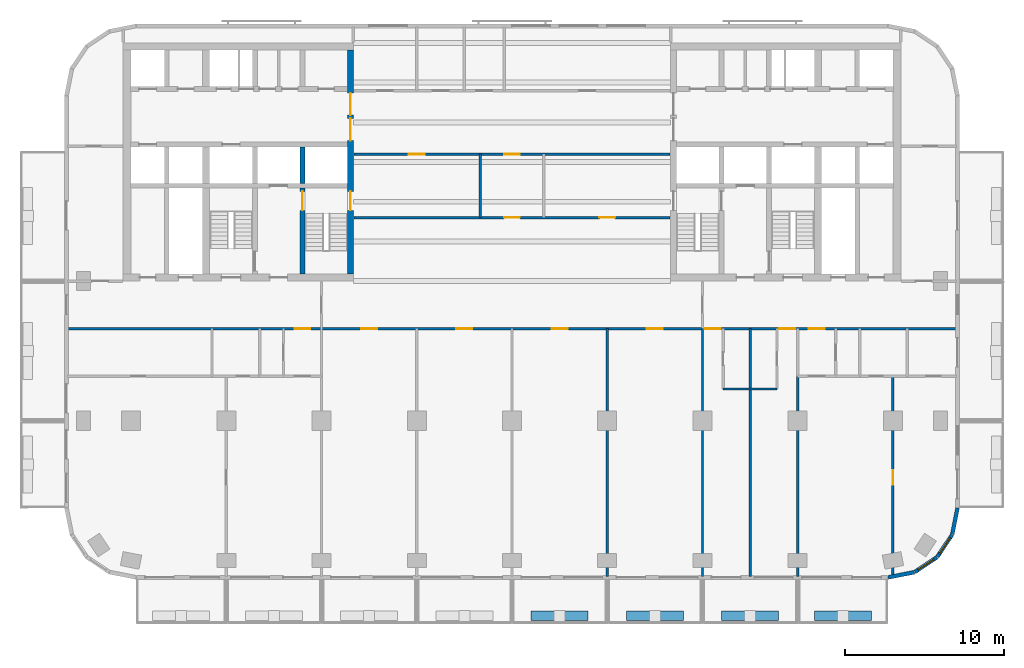
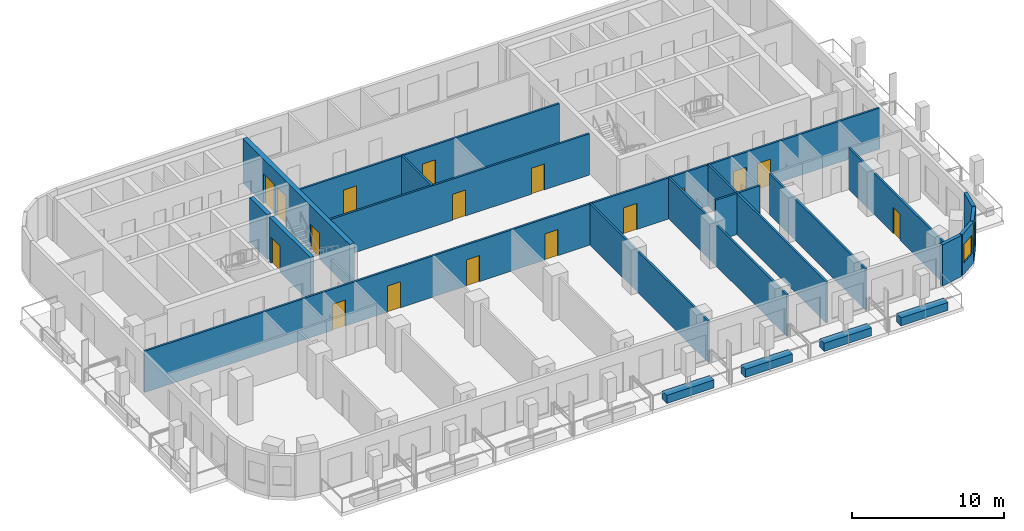
# One storey, part 4 of 11: 21 walls, 17 doors, 2 windows, 19 openings.
"""IFC4 building model written with IfcOpenShell, lengths in metres."""

from ifc_helpers import new_model, si_unit, direction, frame, frame_2d, origin, place, context, subcontext, project, spatial, rectangle, extrude, material, layer, layer_set, type_object, element, fill, save


model = new_model("IFC4")

# Units and contexts
model_context = context("Model", 3, precision=1e-05, world=origin(), true_north=direction((0.0, 1.0)))
body_context = subcontext(model_context, "Body", "Model", "MODEL_VIEW")
ifc_project = project(units=[si_unit("LENGTHUNIT", "METRE"), si_unit("AREAUNIT", "SQUARE_METRE"), si_unit("VOLUMEUNIT", "CUBIC_METRE"), si_unit("PLANEANGLEUNIT", "RADIAN"), si_unit("MASSUNIT", "GRAM", prefix="KILO")], contexts=[model_context])

# Site, building, storey
site_placement = place(None, origin())
site = spatial("IfcSite", under=ifc_project, at=site_placement, CompositionType="ELEMENT")
building_placement = place(site_placement, origin())
building = spatial("IfcBuilding", under=site, at=building_placement, Name="Torana Hotel and Residences", CompositionType="ELEMENT")
storey_placement = place(building_placement, frame((0.0, 0.0, 163.199951171875)))
storey = spatial("IfcBuildingStorey", under=building, at=storey_placement, Name="L42", CompositionType="ELEMENT", Elevation=163.199951171875)

# Wall
ifc_material_1 = material(Name="Concrete C70/85", Category="concrete")
ifc_layer_1 = layer(ifc_material_1, 0.300048828125)
ifc_layer_set_1 = layer_set([ifc_layer_1], Name="CORE WALL 300 C70/85")
wall_type_1 = type_object("IfcWallType", Name="CORE WALL 300 C70/85", PredefinedType="SHEAR", material=ifc_layer_set_1)
wall_1_placement = place(storey_placement, frame((-13.199951171875, -8.85009765625, 0.0), z_axis=(0.0, 0.0, 1.0), x_axis=(0.0, 1.0, 0.0)))
element("IfcWall", 1, at=wall_1_placement, inside=storey, type_object=wall_type_1, Name="Core wall W x3.05-S", PredefinedType="SHEAR", context=body_context, shape_type="SweptSolid", body=[
    extrude(rectangle(XDim=2.300048828125, YDim=0.300048828125, at=frame_2d((1.14990234375, 0.0))), origin(), (0.0, 0.0, 1.0), 3.60009765625),
])

# Wall, opening, door
wall_2_placement = place(storey_placement, frame((-13.199951171875, -14.550048828125, 0.0), z_axis=(0.0, 0.0, 1.0), x_axis=(0.0, 1.0, 0.0)))
wall_2 = element("IfcWall", 2, at=wall_2_placement, inside=storey, type_object=wall_type_1, Name="Core wall W x3.05-band", PredefinedType="SHEAR", context=body_context, shape_type="SweptSolid", body=[
    extrude(rectangle(XDim=5.400146484375, YDim=0.300048828125, at=frame_2d((2.7001953125, 0.0))), origin(), (0.0, 0.0, 1.0), 3.60009765625),
])
opening_1_placement = place(wall_2_placement, frame((4.0, 0.0, 0.0)))
opening_1 = element("IfcOpeningElement", 3, at=opening_1_placement, cuts=wall_2, Name="Opening L42-14", PredefinedType="OPENING", context=body_context, shape_type="SweptSolid", body=[
    extrude(rectangle(XDim=1.199951171875, YDim=2.10009765625, at=frame_2d((0.60009765625, 1.050048828125))), frame((0.0, 0.159912109375, 0.0), z_axis=(0.0, -1.0, 0.0), x_axis=(1.0, 0.0, 0.0)), (0.0, 0.0, 1.0), 0.320068359375),
])
ifc_material_2 = material(Name="Steel S235", Category="steel")
door_type_1 = type_object("IfcDoorType", Name="STAIR FIRE DOOR D3 1200x2100", OperationType="SINGLE_SWING_LEFT", PredefinedType="DOOR", material=ifc_material_2)
door_1_placement = place(opening_1_placement, frame((0.60009765625, 0.0, 0.0), z_axis=(0.0, 0.0, 1.0), x_axis=(-1.0, 0.0, 0.0)))
door_1 = element("IfcDoor", 4, at=door_1_placement, inside=storey, type_object=door_type_1, Name="Stair-A-lobby door L42", OperationType="SINGLE_SWING_RIGHT", OverallHeight=2.10009765625, OverallWidth=1.199951171875, PredefinedType="DOOR", context=body_context, shape_type="SweptSolid", body=[
    extrude(rectangle(XDim=1.199951171875, YDim=2.10009765625, at=frame_2d((0.0, 1.050048828125))), frame((0.0, -0.02490234375, 0.0), z_axis=(0.0, 1.0, 0.0), x_axis=(-1.0, 0.0, 0.0)), (0.0, 0.0, 1.0), 0.050048828125),
])
fill(opening_1, door_1)

# Wall, openings, doors
ifc_material_3 = material(Name="Concrete C70/85", Category="concrete")
ifc_layer_2 = layer(ifc_material_3, 0.35009765625)
ifc_layer_set_2 = layer_set([ifc_layer_2], Name="CORE WALL 350 C70/85")
wall_type_2 = type_object("IfcWallType", Name="CORE WALL 350 C70/85", PredefinedType="SHEAR", material=ifc_layer_set_2)
wall_3_placement = place(storey_placement, frame((-10.175048828125, -14.550048828125, 0.0), z_axis=(0.0, 0.0, 1.0), x_axis=(0.0, 1.0, 0.0)))
wall_3 = element("IfcWall", 5, at=wall_3_placement, inside=storey, type_object=wall_type_2, Name="Core wall W arch", PredefinedType="SHEAR", context=body_context, shape_type="SweptSolid", body=[
    extrude(rectangle(XDim=14.10009765625, YDim=0.35009765625, at=frame_2d((7.050048828125, 0.0))), origin(), (0.0, 0.0, 1.0), 3.60009765625),
])
opening_2_placement = place(wall_3_placement, frame((8.39990234375, 0.0, 0.0)))
opening_2 = element("IfcOpeningElement", 6, at=opening_2_placement, cuts=wall_3, Name="Opening L42-01", PredefinedType="OPENING", context=body_context, shape_type="SweptSolid", body=[
    extrude(rectangle(XDim=1.39990234375, YDim=2.39990234375, at=frame_2d((0.699951171875, 1.199951171875))), frame((0.0, 0.18505859375, 0.0), z_axis=(0.0, -1.0, 0.0), x_axis=(1.0, 0.0, 0.0)), (0.0, 0.0, 1.0), 0.3701171875),
])
opening_3_placement = place(wall_3_placement, frame((10.0, 0.0, 0.0)))
opening_3 = element("IfcOpeningElement", 7, at=opening_3_placement, cuts=wall_3, Name="Opening L42-02", PredefinedType="OPENING", context=body_context, shape_type="SweptSolid", body=[
    extrude(rectangle(XDim=1.39990234375, YDim=2.39990234375, at=frame_2d((0.699951171875, 1.199951171875))), frame((0.0, 0.18505859375, 0.0), z_axis=(0.0, -1.0, 0.0), x_axis=(1.0, 0.0, 0.0)), (0.0, 0.0, 1.0), 0.3701171875),
])
opening_4_placement = place(wall_3_placement, frame((4.0, 0.0, 0.0)))
opening_4 = element("IfcOpeningElement", 8, at=opening_4_placement, cuts=wall_3, Name="Opening L42-03", PredefinedType="OPENING", context=body_context, shape_type="SweptSolid", body=[
    extrude(rectangle(XDim=1.199951171875, YDim=2.10009765625, at=frame_2d((0.60009765625, 1.050048828125))), frame((0.0, 0.18505859375, 0.0), z_axis=(0.0, -1.0, 0.0), x_axis=(1.0, 0.0, 0.0)), (0.0, 0.0, 1.0), 0.3701171875),
])
ifc_material_4 = material(Name="Steel S235", Category="steel")
door_type_2 = type_object("IfcDoorType", Name="LOBBY FIRE DOOR D4 1400x2400", OperationType="DOUBLE_DOOR_SINGLE_SWING", PredefinedType="DOOR", material=ifc_material_4)
door_2_placement = place(opening_2_placement, origin())
door_2 = element("IfcDoor", 9, at=door_2_placement, inside=storey, type_object=door_type_2, Name="Lobby-1 door L42", OperationType="DOUBLE_DOOR_SINGLE_SWING", OverallHeight=2.39990234375, OverallWidth=1.39990234375, PredefinedType="DOOR", context=body_context, shape_type="SweptSolid", body=[
    extrude(rectangle(XDim=1.39990234375, YDim=2.39990234375, at=frame_2d((0.699951171875, 1.199951171875))), frame((0.0, 0.02490234375, 0.0), z_axis=(0.0, -1.0, 0.0), x_axis=(1.0, 0.0, 0.0)), (0.0, 0.0, 1.0), 0.050048828125),
])
fill(opening_2, door_2)
door_3_placement = place(opening_3_placement, origin())
door_3 = element("IfcDoor", 10, at=door_3_placement, inside=storey, type_object=door_type_2, Name="Lobby-2 door L42", OperationType="DOUBLE_DOOR_SINGLE_SWING", OverallHeight=2.39990234375, OverallWidth=1.39990234375, PredefinedType="DOOR", context=body_context, shape_type="SweptSolid", body=[
    extrude(rectangle(XDim=1.39990234375, YDim=2.39990234375, at=frame_2d((0.699951171875, 1.199951171875))), frame((0.0, 0.02490234375, 0.0), z_axis=(0.0, -1.0, 0.0), x_axis=(1.0, 0.0, 0.0)), (0.0, 0.0, 1.0), 0.050048828125),
])
fill(opening_3, door_3)
door_4_placement = place(opening_4_placement, origin())
door_4 = element("IfcDoor", 11, at=door_4_placement, inside=storey, type_object=door_type_1, Name="Stair-A door L42", OperationType="SINGLE_SWING_LEFT", OverallHeight=2.10009765625, OverallWidth=1.199951171875, PredefinedType="DOOR", context=body_context, shape_type="SweptSolid", body=[
    extrude(rectangle(XDim=1.199951171875, YDim=2.10009765625, at=frame_2d((0.60009765625, 1.050048828125))), frame((0.0, 0.02490234375, 0.0), z_axis=(0.0, -1.0, 0.0), x_axis=(1.0, 0.0, 0.0)), (0.0, 0.0, 1.0), 0.050048828125),
])
fill(opening_4, door_4)

# Wall
ifc_material_5 = material(Name="Black aluminium composite panel", Category="aluminium")
ifc_layer_3 = layer(ifc_material_5, 0.00390625, Name="Cladding", Category="cladding")
ifc_material_6 = material(Name="Ventilated air cavity")
ifc_layer_4 = layer(ifc_material_6, 0.0400390625, Name="Ventilated cavity", Category="cavity")
ifc_material_7 = material(Name="Mineral wool insulation")
ifc_layer_5 = layer(ifc_material_7, 0.090087890625, Name="Insulation", Category="insulation")
ifc_material_8 = material(Name="Steel S280GD", Category="steel")
ifc_layer_6 = layer(ifc_material_8, 0.092041015625, Name="Steel stud frame", Category="structure")
ifc_material_9 = material(Name="Fire rated plasterboard")
ifc_layer_7 = layer(ifc_material_9, 0.011962890625, Name="Inner board", Category="finish")
ifc_layer_8 = layer(ifc_material_9, 0.011962890625, Name="Second board", Category="finish")
ifc_layer_set_3 = layer_set([ifc_layer_3, ifc_layer_4, ifc_layer_5, ifc_layer_6, ifc_layer_7, ifc_layer_8], Name="EW1 EXTERNAL WALL BLACK METAL CLAD 250")
wall_type_3 = type_object("IfcWallType", Name="EW1 EXTERNAL WALL BLACK METAL CLAD 250", PredefinedType="SOLIDWALL", material=ifc_layer_set_3)
wall_4_placement = place(storey_placement, frame((23.69970703125, -33.672607421875, 0.0), z_axis=(0.0, 0.0, 1.0), x_axis=(0.980775640221, 0.19513878023, 0.0)))
element("IfcWall", 12, at=wall_4_placement, inside=storey, type_object=wall_type_3, Name="External wall L42 e0.15", PredefinedType="SOLIDWALL", context=body_context, shape_type="SweptSolid", body=[
    extrude(rectangle(XDim=1.681396484375, YDim=0.25, at=frame_2d((0.8408203125, 0.0))), origin(), (0.0, 0.0, 1.0), 3.320068359375),
])

# Wall, opening, window
wall_5_placement = place(storey_placement, frame((25.39404296875, -33.325927734375, 0.0), z_axis=(0.0, 0.0, 1.0), x_axis=(0.831482937015, 0.55555029066, 0.0)))
wall_5 = element("IfcWall", 13, at=wall_5_placement, inside=storey, type_object=wall_type_3, Name="External wall L42 e0.16", PredefinedType="SOLIDWALL", context=body_context, shape_type="SweptSolid", body=[
    extrude(rectangle(XDim=1.65625, YDim=0.25, at=frame_2d((0.828125, 0.0))), origin(), (0.0, 0.0, 1.0), 3.320068359375),
])
opening_5_placement = place(wall_5_placement, frame((0.228271484375, 0.0, 0.89990234375)))
opening_5 = element("IfcOpeningElement", 14, at=opening_5_placement, cuts=wall_5, Name="Opening W5", PredefinedType="OPENING", context=body_context, shape_type="SweptSolid", body=[
    extrude(rectangle(XDim=1.199951171875, YDim=1.5, at=frame_2d((0.60009765625, 0.75))), frame((0.0, 0.135009765625, 0.0), z_axis=(0.0, -1.0, 0.0), x_axis=(1.0, 0.0, 0.0)), (0.0, 0.0, 1.0), 0.27001953125),
])
ifc_material_10 = material(Name="Dark glass in black aluminium frame", Category="aluminium")
window_type = type_object("IfcWindowType", Name="W5 CORNER FACET WINDOW 1200x1500", PartitioningType="SINGLE_PANEL", PredefinedType="WINDOW", material=ifc_material_10)
window_1_placement = place(opening_5_placement, origin())
window_1 = element("IfcWindow", 15, at=window_1_placement, inside=storey, type_object=window_type, Name="Window L42 e0.16", OverallHeight=1.5, OverallWidth=1.199951171875, PartitioningType="SINGLE_PANEL", PredefinedType="WINDOW", context=body_context, shape_type="SweptSolid", body=[
    extrude(rectangle(XDim=1.199951171875, YDim=1.5, at=frame_2d((0.60009765625, 0.75))), frame((0.0, 0.030029296875, 0.0), z_axis=(0.0, -1.0, 0.0), x_axis=(1.0, 0.0, 0.0)), (0.0, 0.0, 1.0), 0.06005859375),
])
fill(opening_5, window_1)

wall_6_placement = place(storey_placement, frame((26.8056640625, -32.37109375, 0.0), z_axis=(0.0, 0.0, 1.0), x_axis=(0.55555029066, 0.831482937015, 0.0)))
wall_6 = element("IfcWall", 16, at=wall_6_placement, inside=storey, type_object=wall_type_3, Name="External wall L42 e0.17", PredefinedType="SOLIDWALL", context=body_context, shape_type="SweptSolid", body=[
    extrude(rectangle(XDim=1.65625, YDim=0.25, at=frame_2d((0.828125, 0.0))), origin(), (0.0, 0.0, 1.0), 3.320068359375),
])
opening_6_placement = place(wall_6_placement, frame((0.228271484375, 0.0, 0.89990234375)))
opening_6 = element("IfcOpeningElement", 17, at=opening_6_placement, cuts=wall_6, Name="Opening W5", PredefinedType="OPENING", context=body_context, shape_type="SweptSolid", body=[
    extrude(rectangle(XDim=1.199951171875, YDim=1.5, at=frame_2d((0.60009765625, 0.75))), frame((0.0, 0.135009765625, 0.0), z_axis=(0.0, -1.0, 0.0), x_axis=(1.0, 0.0, 0.0)), (0.0, 0.0, 1.0), 0.27001953125),
])
window_2_placement = place(opening_6_placement, origin())
window_2 = element("IfcWindow", 18, at=window_2_placement, inside=storey, type_object=window_type, Name="Window L42 e0.17", OverallHeight=1.5, OverallWidth=1.199951171875, PartitioningType="SINGLE_PANEL", PredefinedType="WINDOW", context=body_context, shape_type="SweptSolid", body=[
    extrude(rectangle(XDim=1.199951171875, YDim=1.5, at=frame_2d((0.60009765625, 0.75))), frame((0.0, 0.030029296875, 0.0), z_axis=(0.0, -1.0, 0.0), x_axis=(1.0, 0.0, 0.0)), (0.0, 0.0, 1.0), 0.06005859375),
])
fill(opening_6, window_2)

# Walls
wall_7_placement = place(storey_placement, frame((27.74462890625, -30.948974609375, 0.0), z_axis=(0.0, 0.0, 1.0), x_axis=(0.194999110559, 0.980803419081, 0.0)))
element("IfcWall", 19, at=wall_7_placement, inside=storey, type_object=wall_type_3, Name="External wall L42 e0.18", PredefinedType="SOLIDWALL", context=body_context, shape_type="SweptSolid", body=[
    extrude(rectangle(XDim=1.681396484375, YDim=0.25, at=frame_2d((0.8408203125, 0.0))), origin(), (0.0, 0.0, 1.0), 3.320068359375),
])
ifc_material_11 = material(Name="Gypsum plaster")
ifc_layer_9 = layer(ifc_material_11, 0.014892578125, Name="Plaster", Category="finish")
ifc_material_12 = material(Name="Concrete blockwork", Category="masonry")
ifc_layer_10 = layer(ifc_material_12, 0.1201171875, Name="Blockwork", Category="structure")
ifc_layer_11 = layer(ifc_material_11, 0.014892578125, Name="Plaster", Category="finish")
ifc_layer_set_4 = layer_set([ifc_layer_9, ifc_layer_10, ifc_layer_11], Name="FIRE PARTITION 150 BLOCKWORK")
wall_type_4 = type_object("IfcWallType", Name="FIRE PARTITION 150 BLOCKWORK", PredefinedType="PARTITIONING", material=ifc_layer_set_4)
wall_8_placement = place(storey_placement, frame((-2.0, -11.0, 0.0), z_axis=(0.0, 0.0, 1.0), x_axis=(0.0, 1.0, 0.0)))
element("IfcWall", 20, at=wall_8_placement, inside=storey, type_object=wall_type_4, Name="Partition L42", PredefinedType="PARTITIONING", context=body_context, shape_type="SweptSolid", body=[
    extrude(rectangle(XDim=4.0, YDim=0.14990234375, at=frame_2d((2.0, 0.0))), origin(), (0.0, 0.0, 1.0), 3.320068359375),
])

# Wall, openings, doors
wall_9_placement = place(storey_placement, frame((-28.02001953125, -18.0, 0.0), z_axis=(0.0, 0.0, 1.0), x_axis=(1.0, 0.0, 0.0)))
wall_9 = element("IfcWall", 21, at=wall_9_placement, inside=storey, type_object=wall_type_4, Name="Partition L42", PredefinedType="PARTITIONING", context=body_context, shape_type="SweptSolid", body=[
    extrude(rectangle(XDim=56.0400390625, YDim=0.14990234375, at=frame_2d((28.02001953125, 0.0))), origin(), (0.0, 0.0, 1.0), 3.320068359375),
])
opening_7_placement = place(wall_9_placement, frame((14.320068359375, 0.0, 0.0)))
opening_7 = element("IfcOpeningElement", 22, at=opening_7_placement, cuts=wall_9, Name="Opening L42-32", PredefinedType="OPENING", context=body_context, shape_type="SweptSolid", body=[
    extrude(rectangle(XDim=1.0, YDim=2.10009765625, at=frame_2d((0.5, 1.050048828125))), frame((0.0, 0.0849609375, 0.0), z_axis=(0.0, -1.0, 0.0), x_axis=(1.0, 0.0, 0.0)), (0.0, 0.0, 1.0), 0.169921875),
])
opening_8_placement = place(wall_9_placement, frame((40.169921875, 0.0, 0.0)))
opening_8 = element("IfcOpeningElement", 23, at=opening_8_placement, cuts=wall_9, Name="Opening L42-35", PredefinedType="OPENING", context=body_context, shape_type="SweptSolid", body=[
    extrude(rectangle(XDim=1.0, YDim=2.10009765625, at=frame_2d((0.5, 1.050048828125))), frame((0.0, 0.0849609375, 0.0), z_axis=(0.0, -1.0, 0.0), x_axis=(1.0, 0.0, 0.0)), (0.0, 0.0, 1.0), 0.169921875),
])
opening_9_placement = place(wall_9_placement, frame((44.8701171875, 0.0, 0.0)))
opening_9 = element("IfcOpeningElement", 24, at=opening_9_placement, cuts=wall_9, Name="Opening L42-36", PredefinedType="OPENING", context=body_context, shape_type="SweptSolid", body=[
    extrude(rectangle(XDim=1.0, YDim=2.10009765625, at=frame_2d((0.5, 1.050048828125))), frame((0.0, 0.0849609375, 0.0), z_axis=(0.0, -1.0, 0.0), x_axis=(1.0, 0.0, 0.0)), (0.0, 0.0, 1.0), 0.169921875),
])
opening_10_placement = place(wall_9_placement, frame((46.719970703125, 0.0, 0.0)))
opening_10 = element("IfcOpeningElement", 25, at=opening_10_placement, cuts=wall_9, Name="Opening L42-37", PredefinedType="OPENING", context=body_context, shape_type="SweptSolid", body=[
    extrude(rectangle(XDim=1.0, YDim=2.10009765625, at=frame_2d((0.5, 1.050048828125))), frame((0.0, 0.0849609375, 0.0), z_axis=(0.0, -1.0, 0.0), x_axis=(1.0, 0.0, 0.0)), (0.0, 0.0, 1.0), 0.169921875),
])
opening_11_placement = place(wall_9_placement, frame((18.52001953125, 0.0, 0.0)))
opening_11 = element("IfcOpeningElement", 26, at=opening_11_placement, cuts=wall_9, Name="Opening L42-40", PredefinedType="OPENING", context=body_context, shape_type="SweptSolid", body=[
    extrude(rectangle(XDim=1.0, YDim=2.10009765625, at=frame_2d((0.5, 1.050048828125))), frame((0.0, 0.0849609375, 0.0), z_axis=(0.0, -1.0, 0.0), x_axis=(1.0, 0.0, 0.0)), (0.0, 0.0, 1.0), 0.169921875),
])
opening_12_placement = place(wall_9_placement, frame((24.52001953125, 0.0, 0.0)))
opening_12 = element("IfcOpeningElement", 27, at=opening_12_placement, cuts=wall_9, Name="Opening L42-41", PredefinedType="OPENING", context=body_context, shape_type="SweptSolid", body=[
    extrude(rectangle(XDim=1.0, YDim=2.10009765625, at=frame_2d((0.5, 1.050048828125))), frame((0.0, 0.0849609375, 0.0), z_axis=(0.0, -1.0, 0.0), x_axis=(1.0, 0.0, 0.0)), (0.0, 0.0, 1.0), 0.169921875),
])
opening_13_placement = place(wall_9_placement, frame((30.52001953125, 0.0, 0.0)))
opening_13 = element("IfcOpeningElement", 28, at=opening_13_placement, cuts=wall_9, Name="Opening L42-42", PredefinedType="OPENING", context=body_context, shape_type="SweptSolid", body=[
    extrude(rectangle(XDim=1.0, YDim=2.10009765625, at=frame_2d((0.5, 1.050048828125))), frame((0.0, 0.0849609375, 0.0), z_axis=(0.0, -1.0, 0.0), x_axis=(1.0, 0.0, 0.0)), (0.0, 0.0, 1.0), 0.169921875),
])
opening_14_placement = place(wall_9_placement, frame((36.52001953125, 0.0, 0.0)))
opening_14 = element("IfcOpeningElement", 29, at=opening_14_placement, cuts=wall_9, Name="Opening L42-43", PredefinedType="OPENING", context=body_context, shape_type="SweptSolid", body=[
    extrude(rectangle(XDim=1.0, YDim=2.10009765625, at=frame_2d((0.5, 1.050048828125))), frame((0.0, 0.0849609375, 0.0), z_axis=(0.0, -1.0, 0.0), x_axis=(1.0, 0.0, 0.0)), (0.0, 0.0, 1.0), 0.169921875),
])
ifc_material_13 = material(Name="Steel S235", Category="steel")
door_type_3 = type_object("IfcDoorType", Name="ENTRY FIRE DOOR D6 1000x2100", OperationType="SINGLE_SWING_LEFT", PredefinedType="DOOR", material=ifc_material_13)
door_5_placement = place(opening_7_placement, origin())
door_5 = element("IfcDoor", 30, at=door_5_placement, inside=storey, type_object=door_type_3, Name="Door L42", OperationType="SINGLE_SWING_LEFT", OverallHeight=2.10009765625, OverallWidth=1.0, PredefinedType="DOOR", context=body_context, shape_type="SweptSolid", body=[
    extrude(rectangle(XDim=1.0, YDim=2.10009765625, at=frame_2d((0.5, 1.050048828125))), frame((0.0, 0.02490234375, 0.0), z_axis=(0.0, -1.0, 0.0), x_axis=(1.0, 0.0, 0.0)), (0.0, 0.0, 1.0), 0.050048828125),
])
fill(opening_7, door_5)
door_6_placement = place(opening_8_placement, frame((0.5, 0.0, 0.0), z_axis=(0.0, 0.0, 1.0), x_axis=(-1.0, 0.0, 0.0)))
door_6 = element("IfcDoor", 31, at=door_6_placement, inside=storey, type_object=door_type_3, Name="Door L42", OperationType="SINGLE_SWING_LEFT", OverallHeight=2.10009765625, OverallWidth=1.0, PredefinedType="DOOR", context=body_context, shape_type="SweptSolid", body=[
    extrude(rectangle(XDim=1.0, YDim=2.10009765625, at=frame_2d((0.0, 1.050048828125))), frame((0.0, -0.02490234375, 0.0), z_axis=(0.0, 1.0, 0.0), x_axis=(-1.0, 0.0, 0.0)), (0.0, 0.0, 1.0), 0.050048828125),
])
fill(opening_8, door_6)
door_7_placement = place(opening_9_placement, frame((0.5, 0.0, 0.0), z_axis=(0.0, 0.0, 1.0), x_axis=(-1.0, 0.0, 0.0)))
door_7 = element("IfcDoor", 32, at=door_7_placement, inside=storey, type_object=door_type_3, Name="Door L42", OperationType="SINGLE_SWING_LEFT", OverallHeight=2.10009765625, OverallWidth=1.0, PredefinedType="DOOR", context=body_context, shape_type="SweptSolid", body=[
    extrude(rectangle(XDim=1.0, YDim=2.10009765625, at=frame_2d((0.0, 1.050048828125))), frame((0.0, -0.02490234375, 0.0), z_axis=(0.0, 1.0, 0.0), x_axis=(-1.0, 0.0, 0.0)), (0.0, 0.0, 1.0), 0.050048828125),
])
fill(opening_9, door_7)
door_8_placement = place(opening_10_placement, origin())
door_8 = element("IfcDoor", 33, at=door_8_placement, inside=storey, type_object=door_type_3, Name="Door L42", OperationType="SINGLE_SWING_RIGHT", OverallHeight=2.10009765625, OverallWidth=1.0, PredefinedType="DOOR", context=body_context, shape_type="SweptSolid", body=[
    extrude(rectangle(XDim=1.0, YDim=2.10009765625, at=frame_2d((0.5, 1.050048828125))), frame((0.0, 0.02490234375, 0.0), z_axis=(0.0, -1.0, 0.0), x_axis=(1.0, 0.0, 0.0)), (0.0, 0.0, 1.0), 0.050048828125),
])
fill(opening_10, door_8)
door_9_placement = place(opening_11_placement, frame((0.5, 0.0, 0.0), z_axis=(0.0, 0.0, 1.0), x_axis=(-1.0, 0.0, 0.0)))
door_9 = element("IfcDoor", 34, at=door_9_placement, inside=storey, type_object=door_type_3, Name="Door L42", OperationType="SINGLE_SWING_LEFT", OverallHeight=2.10009765625, OverallWidth=1.0, PredefinedType="DOOR", context=body_context, shape_type="SweptSolid", body=[
    extrude(rectangle(XDim=1.0, YDim=2.10009765625, at=frame_2d((0.0, 1.050048828125))), frame((0.0, -0.02490234375, 0.0), z_axis=(0.0, 1.0, 0.0), x_axis=(-1.0, 0.0, 0.0)), (0.0, 0.0, 1.0), 0.050048828125),
])
fill(opening_11, door_9)
door_10_placement = place(opening_12_placement, frame((0.5, 0.0, 0.0), z_axis=(0.0, 0.0, 1.0), x_axis=(-1.0, 0.0, 0.0)))
door_10 = element("IfcDoor", 35, at=door_10_placement, inside=storey, type_object=door_type_3, Name="Door L42", OperationType="SINGLE_SWING_LEFT", OverallHeight=2.10009765625, OverallWidth=1.0, PredefinedType="DOOR", context=body_context, shape_type="SweptSolid", body=[
    extrude(rectangle(XDim=1.0, YDim=2.10009765625, at=frame_2d((0.0, 1.050048828125))), frame((0.0, -0.02490234375, 0.0), z_axis=(0.0, 1.0, 0.0), x_axis=(-1.0, 0.0, 0.0)), (0.0, 0.0, 1.0), 0.050048828125),
])
fill(opening_12, door_10)
door_11_placement = place(opening_13_placement, frame((0.5, 0.0, 0.0), z_axis=(0.0, 0.0, 1.0), x_axis=(-1.0, 0.0, 0.0)))
door_11 = element("IfcDoor", 36, at=door_11_placement, inside=storey, type_object=door_type_3, Name="Door L42", OperationType="SINGLE_SWING_LEFT", OverallHeight=2.10009765625, OverallWidth=1.0, PredefinedType="DOOR", context=body_context, shape_type="SweptSolid", body=[
    extrude(rectangle(XDim=1.0, YDim=2.10009765625, at=frame_2d((0.0, 1.050048828125))), frame((0.0, -0.02490234375, 0.0), z_axis=(0.0, 1.0, 0.0), x_axis=(-1.0, 0.0, 0.0)), (0.0, 0.0, 1.0), 0.050048828125),
])
fill(opening_13, door_11)
door_12_placement = place(opening_14_placement, frame((0.5, 0.0, 0.0), z_axis=(0.0, 0.0, 1.0), x_axis=(-1.0, 0.0, 0.0)))
door_12 = element("IfcDoor", 37, at=door_12_placement, inside=storey, type_object=door_type_3, Name="Door L42", OperationType="SINGLE_SWING_LEFT", OverallHeight=2.10009765625, OverallWidth=1.0, PredefinedType="DOOR", context=body_context, shape_type="SweptSolid", body=[
    extrude(rectangle(XDim=1.0, YDim=2.10009765625, at=frame_2d((0.0, 1.050048828125))), frame((0.0, -0.02490234375, 0.0), z_axis=(0.0, 1.0, 0.0), x_axis=(-1.0, 0.0, 0.0)), (0.0, 0.0, 1.0), 0.050048828125),
])
fill(opening_14, door_12)

wall_10_placement = place(storey_placement, frame((-9.949951171875, -11.0, 0.0), z_axis=(0.0, 0.0, 1.0), x_axis=(1.0, 0.0, 0.0)))
wall_10 = element("IfcWall", 38, at=wall_10_placement, inside=storey, type_object=wall_type_4, Name="Partition L42", PredefinedType="PARTITIONING", context=body_context, shape_type="SweptSolid", body=[
    extrude(rectangle(XDim=19.89990234375, YDim=0.14990234375, at=frame_2d((9.949951171875, 0.0))), origin(), (0.0, 0.0, 1.0), 3.320068359375),
])
opening_15_placement = place(wall_10_placement, frame((9.449951171875, 0.0, 0.0)))
opening_15 = element("IfcOpeningElement", 39, at=opening_15_placement, cuts=wall_10, Name="Opening L42-39", PredefinedType="OPENING", context=body_context, shape_type="SweptSolid", body=[
    extrude(rectangle(XDim=1.0, YDim=2.10009765625, at=frame_2d((0.5, 1.050048828125))), frame((0.0, 0.0849609375, 0.0), z_axis=(0.0, -1.0, 0.0), x_axis=(1.0, 0.0, 0.0)), (0.0, 0.0, 1.0), 0.169921875),
])
opening_16_placement = place(wall_10_placement, frame((15.449951171875, 0.0, 0.0)))
opening_16 = element("IfcOpeningElement", 40, at=opening_16_placement, cuts=wall_10, Name="Opening L42-44", PredefinedType="OPENING", context=body_context, shape_type="SweptSolid", body=[
    extrude(rectangle(XDim=1.0, YDim=2.10009765625, at=frame_2d((0.5, 1.050048828125))), frame((0.0, 0.0849609375, 0.0), z_axis=(0.0, -1.0, 0.0), x_axis=(1.0, 0.0, 0.0)), (0.0, 0.0, 1.0), 0.169921875),
])
door_13_placement = place(opening_15_placement, origin())
door_13 = element("IfcDoor", 41, at=door_13_placement, inside=storey, type_object=door_type_3, Name="Door L42", OperationType="SINGLE_SWING_RIGHT", OverallHeight=2.10009765625, OverallWidth=1.0, PredefinedType="DOOR", context=body_context, shape_type="SweptSolid", body=[
    extrude(rectangle(XDim=1.0, YDim=2.10009765625, at=frame_2d((0.5, 1.050048828125))), frame((0.0, 0.02490234375, 0.0), z_axis=(0.0, -1.0, 0.0), x_axis=(1.0, 0.0, 0.0)), (0.0, 0.0, 1.0), 0.050048828125),
])
fill(opening_15, door_13)
door_14_placement = place(opening_16_placement, origin())
door_14 = element("IfcDoor", 42, at=door_14_placement, inside=storey, type_object=door_type_3, Name="Door L42", OperationType="SINGLE_SWING_RIGHT", OverallHeight=2.10009765625, OverallWidth=1.0, PredefinedType="DOOR", context=body_context, shape_type="SweptSolid", body=[
    extrude(rectangle(XDim=1.0, YDim=2.10009765625, at=frame_2d((0.5, 1.050048828125))), frame((0.0, 0.02490234375, 0.0), z_axis=(0.0, -1.0, 0.0), x_axis=(1.0, 0.0, 0.0)), (0.0, 0.0, 1.0), 0.050048828125),
])
fill(opening_16, door_14)

wall_11_placement = place(storey_placement, frame((-9.949951171875, -7.0, 0.0), z_axis=(0.0, 0.0, 1.0), x_axis=(1.0, 0.0, 0.0)))
wall_11 = element("IfcWall", 43, at=wall_11_placement, inside=storey, type_object=wall_type_4, Name="Partition L42", PredefinedType="PARTITIONING", context=body_context, shape_type="SweptSolid", body=[
    extrude(rectangle(XDim=19.89990234375, YDim=0.14990234375, at=frame_2d((9.949951171875, 0.0))), origin(), (0.0, 0.0, 1.0), 3.320068359375),
])
opening_17_placement = place(wall_11_placement, frame((9.449951171875, 0.0, 0.0)))
opening_17 = element("IfcOpeningElement", 44, at=opening_17_placement, cuts=wall_11, Name="Opening L42-45", PredefinedType="OPENING", context=body_context, shape_type="SweptSolid", body=[
    extrude(rectangle(XDim=1.0, YDim=2.10009765625, at=frame_2d((0.5, 1.050048828125))), frame((0.0, 0.0849609375, 0.0), z_axis=(0.0, -1.0, 0.0), x_axis=(1.0, 0.0, 0.0)), (0.0, 0.0, 1.0), 0.169921875),
])
opening_18_placement = place(wall_11_placement, frame((3.449951171875, 0.0, 0.0)))
opening_18 = element("IfcOpeningElement", 45, at=opening_18_placement, cuts=wall_11, Name="Opening L42-46", PredefinedType="OPENING", context=body_context, shape_type="SweptSolid", body=[
    extrude(rectangle(XDim=1.0, YDim=2.10009765625, at=frame_2d((0.5, 1.050048828125))), frame((0.0, 0.0849609375, 0.0), z_axis=(0.0, -1.0, 0.0), x_axis=(1.0, 0.0, 0.0)), (0.0, 0.0, 1.0), 0.169921875),
])
door_15_placement = place(opening_17_placement, origin())
door_15 = element("IfcDoor", 46, at=door_15_placement, inside=storey, type_object=door_type_3, Name="Door L42", OperationType="SINGLE_SWING_RIGHT", OverallHeight=2.10009765625, OverallWidth=1.0, PredefinedType="DOOR", context=body_context, shape_type="SweptSolid", body=[
    extrude(rectangle(XDim=1.0, YDim=2.10009765625, at=frame_2d((0.5, 1.050048828125))), frame((0.0, 0.02490234375, 0.0), z_axis=(0.0, -1.0, 0.0), x_axis=(1.0, 0.0, 0.0)), (0.0, 0.0, 1.0), 0.050048828125),
])
fill(opening_17, door_15)
door_16_placement = place(opening_18_placement, frame((0.5, 0.0, 0.0), z_axis=(0.0, 0.0, 1.0), x_axis=(-1.0, 0.0, 0.0)))
door_16 = element("IfcDoor", 47, at=door_16_placement, inside=storey, type_object=door_type_3, Name="Door L42", OperationType="SINGLE_SWING_LEFT", OverallHeight=2.10009765625, OverallWidth=1.0, PredefinedType="DOOR", context=body_context, shape_type="SweptSolid", body=[
    extrude(rectangle(XDim=1.0, YDim=2.10009765625, at=frame_2d((0.0, 1.050048828125))), frame((0.0, -0.02490234375, 0.0), z_axis=(0.0, 1.0, 0.0), x_axis=(-1.0, 0.0, 0.0)), (0.0, 0.0, 1.0), 0.050048828125),
])
fill(opening_18, door_16)

# Wall, opening, door
ifc_material_14 = material(Name="Gypsum plasterboard")
ifc_layer_12 = layer(ifc_material_14, 0.012451171875, Name="Plasterboard", Category="finish")
ifc_layer_13 = layer(ifc_material_14, 0.012451171875, Name="Plasterboard", Category="finish")
ifc_layer_14 = layer(ifc_material_8, 0.10009765625, Name="Steel studs with mineral wool", Category="insulation")
ifc_layer_15 = layer(ifc_material_14, 0.012451171875, Name="Plasterboard", Category="finish")
ifc_layer_16 = layer(ifc_material_14, 0.012451171875, Name="Plasterboard", Category="finish")
ifc_layer_set_5 = layer_set([ifc_layer_12, ifc_layer_13, ifc_layer_14, ifc_layer_15, ifc_layer_16], Name="PARTITION 150 PLASTERBOARD")
wall_type_5 = type_object("IfcWallType", Name="PARTITION 150 PLASTERBOARD", PredefinedType="PARTITIONING", material=ifc_layer_set_5)
wall_12_placement = place(storey_placement, frame((24.0, -33.556884765625, 0.0), z_axis=(0.0, 0.0, 1.0), x_axis=(0.0, 1.0, 0.0)))
wall_12 = element("IfcWall", 48, at=wall_12_placement, inside=storey, type_object=wall_type_5, Name="Partition L42", PredefinedType="PARTITIONING", context=body_context, shape_type="SweptSolid", body=[
    extrude(rectangle(XDim=12.556884765625, YDim=0.14990234375, at=frame_2d((6.2783203125, 0.0))), origin(), (0.0, 0.0, 1.0), 3.320068359375),
])
opening_19_placement = place(wall_12_placement, frame((5.73681640625, 0.0, 0.0)))
opening_19 = element("IfcOpeningElement", 49, at=opening_19_placement, cuts=wall_12, Name="Opening L42-62", PredefinedType="OPENING", context=body_context, shape_type="SweptSolid", body=[
    extrude(rectangle(XDim=0.89990234375, YDim=2.10009765625, at=frame_2d((0.449951171875, 1.050048828125))), frame((0.0, 0.0849609375, 0.0), z_axis=(0.0, -1.0, 0.0), x_axis=(1.0, 0.0, 0.0)), (0.0, 0.0, 1.0), 0.169921875),
])
ifc_material_15 = material(Name="Timber door, oiled ash", Category="wood")
door_type_4 = type_object("IfcDoorType", Name="ROOM DOOR D7 900x2100", OperationType="SINGLE_SWING_LEFT", PredefinedType="DOOR", material=ifc_material_15)
door_17_placement = place(opening_19_placement, origin())
door_17 = element("IfcDoor", 50, at=door_17_placement, inside=storey, type_object=door_type_4, Name="Door L42", OperationType="SINGLE_SWING_RIGHT", OverallHeight=2.10009765625, OverallWidth=0.89990234375, PredefinedType="DOOR", context=body_context, shape_type="SweptSolid", body=[
    extrude(rectangle(XDim=0.89990234375, YDim=2.10009765625, at=frame_2d((0.449951171875, 1.050048828125))), frame((0.0, 0.02490234375, 0.0), z_axis=(0.0, -1.0, 0.0), x_axis=(1.0, 0.0, 0.0)), (0.0, 0.0, 1.0), 0.050048828125),
])
fill(opening_19, door_17)

# Walls
wall_13_placement = place(storey_placement, frame((18.0, -33.6201171875, 0.0), z_axis=(0.0, 0.0, 1.0), x_axis=(0.0, 1.0, 0.0)))
element("IfcWall", 51, at=wall_13_placement, inside=storey, type_object=wall_type_5, Name="Partition L42", PredefinedType="PARTITIONING", context=body_context, shape_type="SweptSolid", body=[
    extrude(rectangle(XDim=12.6201171875, YDim=0.14990234375, at=frame_2d((6.31005859375, 0.0))), origin(), (0.0, 0.0, 1.0), 3.320068359375),
])
for number, where, z_axis, x_axis, name in (
    (52, (15.0, -33.6201171875, 0.0), (0.0, 0.0, 1.0), (0.0, 1.0, 0.0), "Partition L42"),
    (53, (12.0, -33.6201171875, 0.0), (0.0, 0.0, 1.0), (0.0, 1.0, 0.0), "Partition L42"),
    (54, (6.0, -33.6201171875, 0.0), (0.0, 0.0, 1.0), (0.0, 1.0, 0.0), "Partition L42"),
):
    element("IfcWall", number, at=place(storey_placement, frame(where, z_axis=z_axis, x_axis=x_axis)), inside=storey, type_object=wall_type_5, Name=name, PredefinedType="PARTITIONING", context=body_context, shape_type="SweptSolid", body=[
        extrude(rectangle(XDim=15.6201171875, YDim=0.14990234375, at=frame_2d((7.81005859375, 0.0))), origin(), (0.0, 0.0, 1.0), 3.320068359375),
    ])
wall_14_placement = place(storey_placement, frame((13.300048828125, -21.800048828125, 0.0), z_axis=(0.0, 0.0, 1.0), x_axis=(1.0, 0.0, 0.0)))
element("IfcWall", 55, at=wall_14_placement, inside=storey, type_object=wall_type_5, Name="Partition L42", PredefinedType="PARTITIONING", context=body_context, shape_type="SweptSolid", body=[
    extrude(rectangle(XDim=3.39990234375, YDim=0.14990234375, at=frame_2d((1.699951171875, 0.0))), origin(), (0.0, 0.0, 1.0), 3.320068359375),
])
ifc_material_16 = material(Name="Concrete C40/50 precast", Category="concrete")
ifc_layer_17 = layer(ifc_material_16, 0.10009765625, Name="Planter shell", Category="structure")
ifc_material_17 = material(Name="Root resistant membrane")
ifc_layer_18 = layer(ifc_material_17, 0.00390625, Name="Waterproofing membrane", Category="membrane")
ifc_material_18 = material(Name="Drainage board with filter fleece")
ifc_layer_19 = layer(ifc_material_18, 0.02001953125, Name="Drainage board", Category="drainage")
ifc_material_19 = material(Name="Growing medium")
ifc_layer_20 = layer(ifc_material_19, 0.47607421875, Name="Planting substrate", Category="soil")
ifc_layer_set_6 = layer_set([ifc_layer_17, ifc_layer_18, ifc_layer_19, ifc_layer_20], Name="PL1 BALCONY PLANTER 600")
wall_type_6 = type_object("IfcWallType", Name="PL1 BALCONY PLANTER 600", PredefinedType="USERDEFINED", material=ifc_layer_set_6)
for number, where, z_axis, x_axis, name in (
    (56, (4.800048828125, -36.10009765625, 0.0), (0.0, 0.0, 1.0), (-1.0, 0.0, 0.0), "Planter 05"),
    (57, (10.800048828125, -36.10009765625, 0.0), (0.0, 0.0, 1.0), (-1.0, 0.0, 0.0), "Planter 06"),
    (58, (16.800048828125, -36.10009765625, 0.0), (0.0, 0.0, 1.0), (-1.0, 0.0, 0.0), "Planter 07"),
):
    element("IfcWall", number, at=place(storey_placement, frame(where, z_axis=z_axis, x_axis=x_axis)), inside=storey, type_object=wall_type_6, Name=name, ObjectType="PLANTER", PredefinedType="USERDEFINED", context=body_context, shape_type="SweptSolid", body=[
        extrude(rectangle(XDim=3.60009765625, YDim=0.60009765625, at=frame_2d((1.800048828125, 0.0))), origin(), (0.0, 0.0, 1.0), 0.650146484375),
    ])
wall_15_placement = place(storey_placement, frame((22.64990234375, -36.10009765625, 0.0), z_axis=(0.0, 0.0, 1.0), x_axis=(-1.0, 0.0, 0.0)))
element("IfcWall", 59, at=wall_15_placement, inside=storey, type_object=wall_type_6, Name="Planter 08", ObjectType="PLANTER", PredefinedType="USERDEFINED", context=body_context, shape_type="SweptSolid", body=[
    extrude(rectangle(XDim=3.599853515625, YDim=0.60009765625, at=frame_2d((1.7998046875, 0.0))), origin(), (0.0, 0.0, 1.0), 0.650146484375),
])

save(model, "model.ifc")
